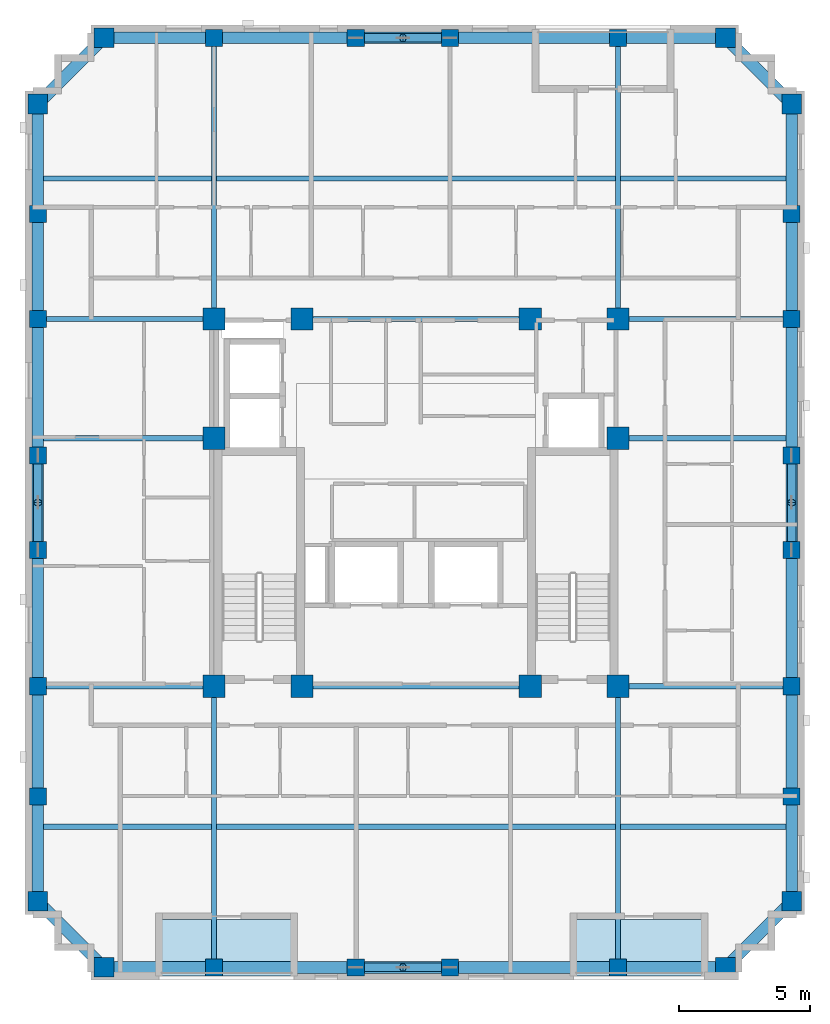
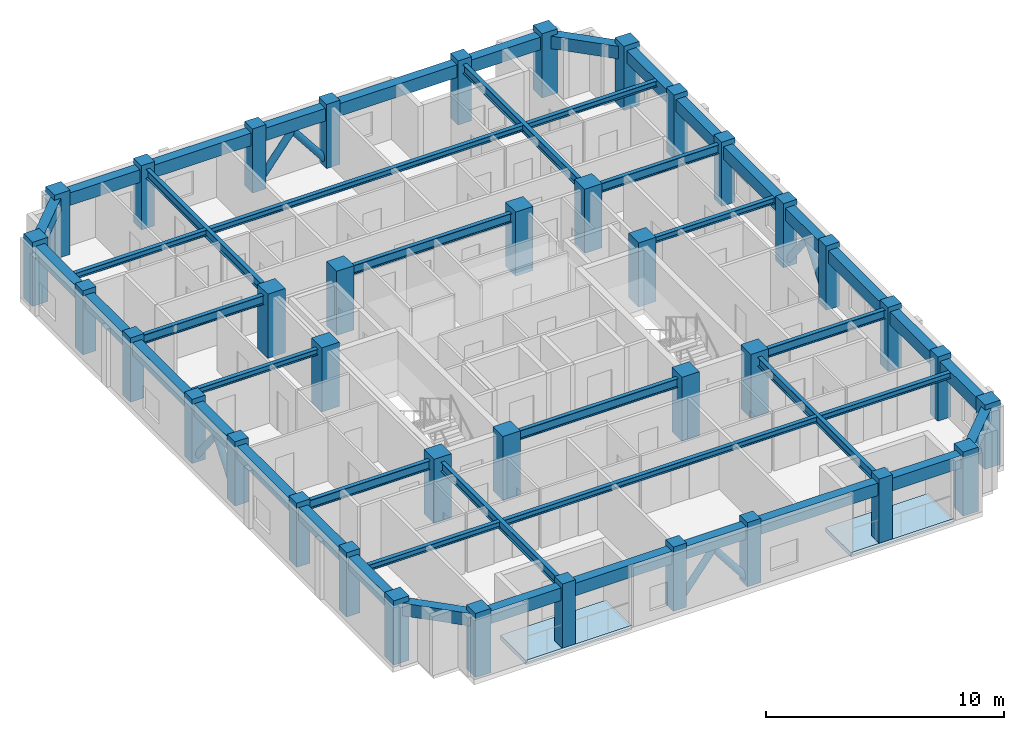
# One storey, part 1 of 11: 46 beams, 38 columns, 8 members, 2 slabs.
"""IFC4 building model written with IfcOpenShell, lengths in metres."""

from ifc_helpers import new_model, si_unit, derived_unit, direction, frame, origin, origin_2d, place, context, subcontext, project, spatial, polyline, rectangle, hollow_circle, i_section, outline, extrude, material, layer, layer_set, material_profile, profile_set, type_object, element, save


model = new_model("IFC4")

# Units and contexts
model_context = context("Model", 3, precision=1e-05, world=origin(), true_north=direction((0.0, 1.0)))
body_context = subcontext(model_context, "Body", "Model", "MODEL_VIEW")
ifc_project = project(units=[si_unit("LENGTHUNIT", "METRE"), si_unit("AREAUNIT", "SQUARE_METRE"), si_unit("VOLUMEUNIT", "CUBIC_METRE"), si_unit("PLANEANGLEUNIT", "RADIAN"), si_unit("MASSUNIT", "GRAM", prefix="KILO"), derived_unit("THERMALTRANSMITTANCEUNIT", [(si_unit("MASSUNIT", "GRAM", prefix="KILO"), 1), (si_unit("TIMEUNIT", "SECOND"), -3), (si_unit("THERMODYNAMICTEMPERATUREUNIT", "KELVIN"), -1)])], contexts=[model_context])

# Site, building, storey
site_placement = place(None, origin())
site = spatial("IfcSite", under=ifc_project, at=site_placement, CompositionType="ELEMENT")
building_placement = place(site_placement, origin())
building = spatial("IfcBuilding", under=site, at=building_placement, Name="Korrvale Station Residences", CompositionType="ELEMENT")
storey_placement = place(building_placement, frame((0.0, 0.0, 214.0)))
storey = spatial("IfcBuildingStorey", under=building, at=storey_placement, Name="L62", CompositionType="ELEMENT", Elevation=214.0)

# Columns
ifc_material_1 = material(Name="Concrete C50/60", Category="concrete")
ifc_material_profile_1 = material_profile(ifc_material_1, rectangle(XDim=0.64990234375, YDim=0.64990234375, at=origin_2d()), Name="RC650x650")
ifc_profile_set_1 = profile_set([ifc_material_profile_1], Name="Concrete C50/60")
column_type_1 = type_object("IfcColumnType", Name="COL-C-RC650x650-C5060", PredefinedType="COLUMN", material=ifc_profile_set_1)
for number, where, z_axis, x_axis, name in (
    (1, (17.800048828125, 4.280029296875, 0.0), (0.0, 0.0, 1.0), (1.0, 0.0, 0.0), "L62 Bundled-Tube South Column 02"),
    (2, (23.199951171875, 4.280029296875, 0.0), (0.0, 0.0, 1.0), (1.0, 0.0, 0.0), "L62 Bundled-Tube South Column 03"),
    (3, (26.800048828125, 4.280029296875, 0.0), (0.0, 0.0, 1.0), (1.0, 0.0, 0.0), "L62 Bundled-Tube South Column 04"),
    (4, (33.199951171875, 4.280029296875, 0.0), (0.0, 0.0, 1.0), (1.0, 0.0, 0.0), "L62 Bundled-Tube South Column 05"),
    (5, (17.800048828125, 39.719970703125, 0.0), (0.0, 0.0, 1.0), (1.0, 0.0, 0.0), "L62 Bundled-Tube North Column 08"),
    (6, (23.199951171875, 39.719970703125, 0.0), (0.0, 0.0, 1.0), (1.0, 0.0, 0.0), "L62 Bundled-Tube North Column 09"),
    (7, (26.800048828125, 39.719970703125, 0.0), (0.0, 0.0, 1.0), (1.0, 0.0, 0.0), "L62 Bundled-Tube North Column 10"),
    (8, (33.199951171875, 39.719970703125, 0.0), (0.0, 0.0, 1.0), (1.0, 0.0, 0.0), "L62 Bundled-Tube North Column 11"),
    (9, (11.080078125, 10.800048828125, 0.0), (0.0, 0.0, 1.0), (1.0, 0.0, 0.0), "L62 Bundled-Tube West Column 14"),
    (10, (11.080078125, 15.0, 0.0), (0.0, 0.0, 1.0), (1.0, 0.0, 0.0), "L62 Bundled-Tube West Column 15"),
    (11, (11.080078125, 20.199951171875, 0.0), (0.0, 0.0, 1.0), (1.0, 0.0, 0.0), "L62 Bundled-Tube West Column 16"),
    (12, (11.080078125, 23.800048828125, 0.0), (0.0, 0.0, 1.0), (1.0, 0.0, 0.0), "L62 Bundled-Tube West Column 17"),
    (13, (11.080078125, 29.0, 0.0), (0.0, 0.0, 1.0), (1.0, 0.0, 0.0), "L62 Bundled-Tube West Column 18"),
    (14, (11.080078125, 33.0, 0.0), (0.0, 0.0, 1.0), (1.0, 0.0, 0.0), "L62 Bundled-Tube West Column 19"),
    (15, (39.820068359375, 10.800048828125, 0.0), (0.0, 0.0, 1.0), (1.0, 0.0, 0.0), "L62 Bundled-Tube East Column 22"),
    (16, (39.820068359375, 15.0, 0.0), (0.0, 0.0, 1.0), (1.0, 0.0, 0.0), "L62 Bundled-Tube East Column 23"),
    (17, (39.820068359375, 20.199951171875, 0.0), (0.0, 0.0, 1.0), (1.0, 0.0, 0.0), "L62 Bundled-Tube East Column 24"),
    (18, (39.820068359375, 23.800048828125, 0.0), (0.0, 0.0, 1.0), (1.0, 0.0, 0.0), "L62 Bundled-Tube East Column 25"),
    (19, (39.820068359375, 29.0, 0.0), (0.0, 0.0, 1.0), (1.0, 0.0, 0.0), "L62 Bundled-Tube East Column 26"),
    (20, (39.820068359375, 33.0, 0.0), (0.0, 0.0, 1.0), (1.0, 0.0, 0.0), "L62 Bundled-Tube East Column 27"),
):
    element("IfcColumn", number, at=place(storey_placement, frame(where, z_axis=z_axis, x_axis=x_axis)), inside=storey, type_object=column_type_1, Name=name, PredefinedType="COLUMN", context=body_context, shape_type="SweptSolid", body=[
        extrude(rectangle(XDim=0.64990234375, YDim=0.64990234375, at=origin_2d()), origin(), (0.0, 0.0, 1.0), 3.300048828125),
    ])
ifc_material_profile_2 = material_profile(ifc_material_1, rectangle(XDim=0.75, YDim=0.75, at=origin_2d()), Name="RC750x750")
ifc_profile_set_2 = profile_set([ifc_material_profile_2], Name="Concrete C50/60")
column_type_2 = type_object("IfcColumnType", Name="COL-C-RC750x750-C5060", PredefinedType="COLUMN", material=ifc_profile_set_2)
for number, where, z_axis, x_axis, name in (
    (21, (13.60009765625, 4.280029296875, 0.0), (0.0, 0.0, 1.0), (1.0, 0.0, 0.0), "L62 Bundled-Tube South Column 01"),
    (22, (37.300048828125, 4.280029296875, 0.0), (0.0, 0.0, 1.0), (1.0, 0.0, 0.0), "L62 Bundled-Tube South Column 06"),
    (23, (13.60009765625, 39.719970703125, 0.0), (0.0, 0.0, 1.0), (1.0, 0.0, 0.0), "L62 Bundled-Tube North Column 07"),
    (24, (37.300048828125, 39.719970703125, 0.0), (0.0, 0.0, 1.0), (1.0, 0.0, 0.0), "L62 Bundled-Tube North Column 12"),
    (25, (11.080078125, 6.800048828125, 0.0), (0.0, 0.0, 1.0), (1.0, 0.0, 0.0), "L62 Bundled-Tube West Column 13"),
    (26, (11.080078125, 37.199951171875, 0.0), (0.0, 0.0, 1.0), (1.0, 0.0, 0.0), "L62 Bundled-Tube West Column 20"),
    (27, (39.820068359375, 6.800048828125, 0.0), (0.0, 0.0, 1.0), (1.0, 0.0, 0.0), "L62 Bundled-Tube East Column 21"),
    (28, (39.820068359375, 37.199951171875, 0.0), (0.0, 0.0, 1.0), (1.0, 0.0, 0.0), "L62 Bundled-Tube East Column 28"),
):
    element("IfcColumn", number, at=place(storey_placement, frame(where, z_axis=z_axis, x_axis=x_axis)), inside=storey, type_object=column_type_2, Name=name, PredefinedType="COLUMN", context=body_context, shape_type="SweptSolid", body=[
        extrude(rectangle(XDim=0.75, YDim=0.75, at=origin_2d()), origin(), (0.0, 0.0, 1.0), 3.300048828125),
    ])
ifc_material_profile_3 = material_profile(ifc_material_1, rectangle(XDim=0.85009765625, YDim=0.85009765625, at=origin_2d()), Name="RC850x850")
ifc_profile_set_3 = profile_set([ifc_material_profile_3], Name="Concrete C50/60")
column_type_3 = type_object("IfcColumnType", Name="COL-C-RC850x850-C5060", PredefinedType="COLUMN", material=ifc_profile_set_3)
for number, where, z_axis, x_axis, name in (
    (29, (17.800048828125, 15.0, 0.0), (0.0, 0.0, 1.0), (1.0, 0.0, 0.0), "L62 Core Column 01"),
    (30, (21.14990234375, 15.0, 0.0), (0.0, 0.0, 1.0), (1.0, 0.0, 0.0), "L62 Core Column 02"),
    (31, (29.85009765625, 15.0, 0.0), (0.0, 0.0, 1.0), (1.0, 0.0, 0.0), "L62 Core Column 03"),
    (32, (33.199951171875, 15.0, 0.0), (0.0, 0.0, 1.0), (1.0, 0.0, 0.0), "L62 Core Column 04"),
    (33, (17.800048828125, 29.0, 0.0), (0.0, 0.0, 1.0), (1.0, 0.0, 0.0), "L62 Core Column 05"),
    (34, (21.14990234375, 29.0, 0.0), (0.0, 0.0, 1.0), (1.0, 0.0, 0.0), "L62 Core Column 06"),
    (35, (29.85009765625, 29.0, 0.0), (0.0, 0.0, 1.0), (1.0, 0.0, 0.0), "L62 Core Column 07"),
    (36, (33.199951171875, 29.0, 0.0), (0.0, 0.0, 1.0), (1.0, 0.0, 0.0), "L62 Core Column 08"),
    (37, (17.800048828125, 24.449951171875, 0.0), (0.0, 0.0, 1.0), (1.0, 0.0, 0.0), "L62 Core Column 09"),
    (38, (33.199951171875, 24.449951171875, 0.0), (0.0, 0.0, 1.0), (1.0, 0.0, 0.0), "L62 Core Column 10"),
):
    element("IfcColumn", number, at=place(storey_placement, frame(where, z_axis=z_axis, x_axis=x_axis)), inside=storey, type_object=column_type_3, Name=name, PredefinedType="COLUMN", context=body_context, shape_type="SweptSolid", body=[
        extrude(rectangle(XDim=0.85009765625, YDim=0.85009765625, at=origin_2d()), origin(), (0.0, 0.0, 1.0), 3.300048828125),
    ])

# Beams
ifc_material_2 = material(Name="Steel S355", Category="steel")
ifc_material_profile_4 = material_profile(ifc_material_2, i_section(OverallWidth=0.194091796875, OverallDepth=0.468994140625, WebThickness=0.0126953125, FlangeThickness=0.0205078125, FilletRadius=0.01611328125, at=origin_2d()), Name="W460x106")
ifc_profile_set_4 = profile_set([ifc_material_profile_4], Name="Steel S355")
beam_type_1 = type_object("IfcBeamType", Name="BM-BM-W460x106-S355", PredefinedType="BEAM", material=ifc_profile_set_4)
for number, where, z_axis, x_axis, name in (
    (39, (17.800048828125, 4.280029296875, 2.805419921875), (0.0, 1.0, 0.0), (-1.0, 0.0, 0.0), "L62 Bundled-Tube Web Girder 01"),
    (40, (33.199951171875, 4.280029296875, 2.805419921875), (0.0, 1.0, 0.0), (-1.0, 0.0, 0.0), "L62 Bundled-Tube Web Girder 02"),
    (41, (17.800048828125, 29.0, 2.805419921875), (0.0, 1.0, 0.0), (-1.0, 0.0, 0.0), "L62 Bundled-Tube Web Girder 03"),
    (42, (33.199951171875, 29.0, 2.805419921875), (0.0, 1.0, 0.0), (-1.0, 0.0, 0.0), "L62 Bundled-Tube Web Girder 04"),
):
    element("IfcBeam", number, at=place(storey_placement, frame(where, z_axis=z_axis, x_axis=x_axis)), inside=storey, type_object=beam_type_1, Name=name, PredefinedType="BEAM", context=body_context, shape_type="SweptSolid", body=[
        extrude(i_section(OverallWidth=0.194091796875, OverallDepth=0.468994140625, WebThickness=0.0126953125, FlangeThickness=0.0205078125, FilletRadius=0.01611328125, at=origin_2d()), origin(), (0.0, 0.0, 1.0), 10.719970703125),
    ])
beam_1_placement = place(storey_placement, frame((11.080078125, 15.0, 2.805419921875), z_axis=(1.0, 0.0, 0.0), x_axis=(0.0, 1.0, 0.0)))
element("IfcBeam", 43, at=beam_1_placement, inside=storey, type_object=beam_type_1, Name="L62 Bundled-Tube Web Girder 05", PredefinedType="BEAM", context=body_context, shape_type="SweptSolid", body=[
    extrude(i_section(OverallWidth=0.194091796875, OverallDepth=0.468994140625, WebThickness=0.0126953125, FlangeThickness=0.0205078125, FilletRadius=0.01611328125, at=origin_2d()), origin(), (0.0, 0.0, 1.0), 6.719970703125),
])
beam_2_placement = place(storey_placement, frame((33.199951171875, 15.0, 2.805419921875), z_axis=(1.0, 0.0, 0.0), x_axis=(0.0, 1.0, 0.0)))
element("IfcBeam", 44, at=beam_2_placement, inside=storey, type_object=beam_type_1, Name="L62 Bundled-Tube Web Girder 06", PredefinedType="BEAM", context=body_context, shape_type="SweptSolid", body=[
    extrude(i_section(OverallWidth=0.194091796875, OverallDepth=0.468994140625, WebThickness=0.0126953125, FlangeThickness=0.0205078125, FilletRadius=0.01611328125, at=origin_2d()), origin(), (0.0, 0.0, 1.0), 6.6201171875),
])
beam_3_placement = place(storey_placement, frame((11.080078125, 29.0, 2.805419921875), z_axis=(1.0, 0.0, 0.0), x_axis=(0.0, 1.0, 0.0)))
element("IfcBeam", 45, at=beam_3_placement, inside=storey, type_object=beam_type_1, Name="L62 Bundled-Tube Web Girder 07", PredefinedType="BEAM", context=body_context, shape_type="SweptSolid", body=[
    extrude(i_section(OverallWidth=0.194091796875, OverallDepth=0.468994140625, WebThickness=0.0126953125, FlangeThickness=0.0205078125, FilletRadius=0.01611328125, at=origin_2d()), origin(), (0.0, 0.0, 1.0), 6.719970703125),
])
beam_4_placement = place(storey_placement, frame((33.199951171875, 29.0, 2.805419921875), z_axis=(1.0, 0.0, 0.0), x_axis=(0.0, 1.0, 0.0)))
element("IfcBeam", 46, at=beam_4_placement, inside=storey, type_object=beam_type_1, Name="L62 Bundled-Tube Web Girder 08", PredefinedType="BEAM", context=body_context, shape_type="SweptSolid", body=[
    extrude(i_section(OverallWidth=0.194091796875, OverallDepth=0.468994140625, WebThickness=0.0126953125, FlangeThickness=0.0205078125, FilletRadius=0.01611328125, at=origin_2d()), origin(), (0.0, 0.0, 1.0), 6.6201171875),
])
for number, where, z_axis, x_axis, name in (
    (47, (21.14990234375, 15.0, 2.805419921875), (1.0, 0.0, 0.0), (0.0, 1.0, 0.0), "L62 Bundled-Tube Web Girder 09"),
    (48, (21.14990234375, 29.0, 2.805419921875), (1.0, 0.0, 0.0), (0.0, 1.0, 0.0), "L62 Bundled-Tube Web Girder 10"),
):
    element("IfcBeam", number, at=place(storey_placement, frame(where, z_axis=z_axis, x_axis=x_axis)), inside=storey, type_object=beam_type_1, Name=name, PredefinedType="BEAM", context=body_context, shape_type="SweptSolid", body=[
        extrude(i_section(OverallWidth=0.194091796875, OverallDepth=0.468994140625, WebThickness=0.0126953125, FlangeThickness=0.0205078125, FilletRadius=0.01611328125, at=origin_2d()), origin(), (0.0, 0.0, 1.0), 8.7001953125),
    ])
ifc_material_profile_5 = material_profile(ifc_material_2, i_section(OverallWidth=0.202880859375, OverallDepth=0.302978515625, WebThickness=0.007568359375, FlangeThickness=0.01318359375, FilletRadius=0.014892578125, at=origin_2d()), Name="W310x60")
ifc_profile_set_5 = profile_set([ifc_material_profile_5], Name="Steel S355")
beam_type_2 = type_object("IfcBeamType", Name="BM-JST-W310x60-S355", PredefinedType="JOIST", material=ifc_profile_set_5)
beam_5_placement = place(storey_placement, frame((11.304931640625, 9.639892578125, 2.888427734375), z_axis=(1.0, 0.0, 0.0), x_axis=(0.0, 1.0, 0.0)))
element("IfcBeam", 49, at=beam_5_placement, inside=storey, type_object=beam_type_2, Name="L62 Floor Framing Joist 01", PredefinedType="JOIST", context=body_context, shape_type="SweptSolid", body=[
    extrude(i_section(OverallWidth=0.202880859375, OverallDepth=0.302978515625, WebThickness=0.007568359375, FlangeThickness=0.01318359375, FilletRadius=0.014892578125, at=origin_2d()), origin(), (0.0, 0.0, 1.0), 6.39794921875),
])
beam_6_placement = place(storey_placement, frame((17.89697265625, 9.639892578125, 2.888427734375), z_axis=(1.0, 0.0, 0.0), x_axis=(0.0, 1.0, 0.0)))
element("IfcBeam", 50, at=beam_6_placement, inside=storey, type_object=beam_type_2, Name="L62 Floor Framing Joist 02", PredefinedType="JOIST", context=body_context, shape_type="SweptSolid", body=[
    extrude(i_section(OverallWidth=0.202880859375, OverallDepth=0.302978515625, WebThickness=0.007568359375, FlangeThickness=0.01318359375, FilletRadius=0.014892578125, at=origin_2d()), origin(), (0.0, 0.0, 1.0), 15.2060546875),
])
beam_7_placement = place(storey_placement, frame((33.297119140625, 9.639892578125, 2.888427734375), z_axis=(1.0, 0.0, 0.0), x_axis=(0.0, 1.0, 0.0)))
element("IfcBeam", 51, at=beam_7_placement, inside=storey, type_object=beam_type_2, Name="L62 Floor Framing Joist 03", PredefinedType="JOIST", context=body_context, shape_type="SweptSolid", body=[
    extrude(i_section(OverallWidth=0.202880859375, OverallDepth=0.302978515625, WebThickness=0.007568359375, FlangeThickness=0.01318359375, FilletRadius=0.014892578125, at=origin_2d()), origin(), (0.0, 0.0, 1.0), 6.2978515625),
])
beam_8_placement = place(storey_placement, frame((11.304931640625, 34.360107421875, 2.888427734375), z_axis=(1.0, 0.0, 0.0), x_axis=(0.0, 1.0, 0.0)))
element("IfcBeam", 52, at=beam_8_placement, inside=storey, type_object=beam_type_2, Name="L62 Floor Framing Joist 04", PredefinedType="JOIST", context=body_context, shape_type="SweptSolid", body=[
    extrude(i_section(OverallWidth=0.202880859375, OverallDepth=0.302978515625, WebThickness=0.007568359375, FlangeThickness=0.01318359375, FilletRadius=0.014892578125, at=origin_2d()), origin(), (0.0, 0.0, 1.0), 6.39794921875),
])
beam_9_placement = place(storey_placement, frame((17.89697265625, 34.360107421875, 2.888427734375), z_axis=(1.0, 0.0, 0.0), x_axis=(0.0, 1.0, 0.0)))
element("IfcBeam", 53, at=beam_9_placement, inside=storey, type_object=beam_type_2, Name="L62 Floor Framing Joist 05", PredefinedType="JOIST", context=body_context, shape_type="SweptSolid", body=[
    extrude(i_section(OverallWidth=0.202880859375, OverallDepth=0.302978515625, WebThickness=0.007568359375, FlangeThickness=0.01318359375, FilletRadius=0.014892578125, at=origin_2d()), origin(), (0.0, 0.0, 1.0), 15.2060546875),
])
beam_10_placement = place(storey_placement, frame((33.297119140625, 34.360107421875, 2.888427734375), z_axis=(1.0, 0.0, 0.0), x_axis=(0.0, 1.0, 0.0)))
element("IfcBeam", 54, at=beam_10_placement, inside=storey, type_object=beam_type_2, Name="L62 Floor Framing Joist 06", PredefinedType="JOIST", context=body_context, shape_type="SweptSolid", body=[
    extrude(i_section(OverallWidth=0.202880859375, OverallDepth=0.302978515625, WebThickness=0.007568359375, FlangeThickness=0.01318359375, FilletRadius=0.014892578125, at=origin_2d()), origin(), (0.0, 0.0, 1.0), 6.2978515625),
])
beam_11_placement = place(storey_placement, frame((33.199951171875, 24.449951171875, 2.888427734375), z_axis=(1.0, 0.0, 0.0), x_axis=(0.0, 1.0, 0.0)))
element("IfcBeam", 55, at=beam_11_placement, inside=storey, type_object=beam_type_2, Name="L62 Floor Framing Joist 07", PredefinedType="JOIST", context=body_context, shape_type="SweptSolid", body=[
    extrude(i_section(OverallWidth=0.202880859375, OverallDepth=0.302978515625, WebThickness=0.007568359375, FlangeThickness=0.01318359375, FilletRadius=0.014892578125, at=origin_2d()), origin(), (0.0, 0.0, 1.0), 6.39501953125),
])
beam_12_placement = place(storey_placement, frame((11.304931640625, 24.449951171875, 2.888427734375), z_axis=(1.0, 0.0, 0.0), x_axis=(0.0, 1.0, 0.0)))
element("IfcBeam", 56, at=beam_12_placement, inside=storey, type_object=beam_type_2, Name="L62 Floor Framing Joist 08", PredefinedType="JOIST", context=body_context, shape_type="SweptSolid", body=[
    extrude(i_section(OverallWidth=0.202880859375, OverallDepth=0.302978515625, WebThickness=0.007568359375, FlangeThickness=0.01318359375, FilletRadius=0.014892578125, at=origin_2d()), origin(), (0.0, 0.0, 1.0), 6.4951171875),
])
ifc_material_profile_6 = material_profile(ifc_material_1, rectangle(XDim=0.449951171875, YDim=0.64990234375, at=origin_2d()), Name="RCB450x650")
ifc_profile_set_6 = profile_set([ifc_material_profile_6], Name="Concrete C50/60")
beam_type_3 = type_object("IfcBeamType", Name="BM-SPB-RCB450x650-C5060", PredefinedType="SPANDREL", material=ifc_profile_set_6)
beam_13_placement = place(storey_placement, frame((13.60009765625, 4.280029296875, 2.715087890625), z_axis=(1.0, 0.0, 0.0), x_axis=(0.0, 1.0, 0.0)))
element("IfcBeam", 57, at=beam_13_placement, inside=storey, type_object=beam_type_3, Name="L62 South Tube Spandrel 01", PredefinedType="SPANDREL", context=body_context, shape_type="SweptSolid", body=[
    extrude(rectangle(XDim=0.449951171875, YDim=0.64990234375, at=origin_2d()), origin(), (0.0, 0.0, 1.0), 4.199951171875),
])
beam_14_placement = place(storey_placement, frame((17.800048828125, 4.280029296875, 2.715087890625), z_axis=(1.0, 0.0, 0.0), x_axis=(0.0, 1.0, 0.0)))
element("IfcBeam", 58, at=beam_14_placement, inside=storey, type_object=beam_type_3, Name="L62 South Tube Spandrel 02", PredefinedType="SPANDREL", context=body_context, shape_type="SweptSolid", body=[
    extrude(rectangle(XDim=0.449951171875, YDim=0.64990234375, at=origin_2d()), origin(), (0.0, 0.0, 1.0), 5.39990234375),
])
beam_15_placement = place(storey_placement, frame((23.199951171875, 4.280029296875, 2.715087890625), z_axis=(1.0, 0.0, 0.0), x_axis=(0.0, 1.0, 0.0)))
element("IfcBeam", 59, at=beam_15_placement, inside=storey, type_object=beam_type_3, Name="L62 South Tube Spandrel 03", PredefinedType="SPANDREL", context=body_context, shape_type="SweptSolid", body=[
    extrude(rectangle(XDim=0.449951171875, YDim=0.64990234375, at=origin_2d()), origin(), (0.0, 0.0, 1.0), 3.60009765625),
])
beam_16_placement = place(storey_placement, frame((26.800048828125, 4.280029296875, 2.715087890625), z_axis=(1.0, 0.0, 0.0), x_axis=(0.0, 1.0, 0.0)))
element("IfcBeam", 60, at=beam_16_placement, inside=storey, type_object=beam_type_3, Name="L62 South Tube Spandrel 04", PredefinedType="SPANDREL", context=body_context, shape_type="SweptSolid", body=[
    extrude(rectangle(XDim=0.449951171875, YDim=0.64990234375, at=origin_2d()), origin(), (0.0, 0.0, 1.0), 6.39990234375),
])
beam_17_placement = place(storey_placement, frame((33.199951171875, 4.280029296875, 2.715087890625), z_axis=(1.0, 0.0, 0.0), x_axis=(0.0, 1.0, 0.0)))
element("IfcBeam", 61, at=beam_17_placement, inside=storey, type_object=beam_type_3, Name="L62 South Tube Spandrel 05", PredefinedType="SPANDREL", context=body_context, shape_type="SweptSolid", body=[
    extrude(rectangle(XDim=0.449951171875, YDim=0.64990234375, at=origin_2d()), origin(), (0.0, 0.0, 1.0), 4.10009765625),
])
beam_18_placement = place(storey_placement, frame((13.60009765625, 39.719970703125, 2.715087890625), z_axis=(1.0, 0.0, 0.0), x_axis=(0.0, 1.0, 0.0)))
element("IfcBeam", 62, at=beam_18_placement, inside=storey, type_object=beam_type_3, Name="L62 North Tube Spandrel 06", PredefinedType="SPANDREL", context=body_context, shape_type="SweptSolid", body=[
    extrude(rectangle(XDim=0.449951171875, YDim=0.64990234375, at=origin_2d()), origin(), (0.0, 0.0, 1.0), 4.199951171875),
])
beam_19_placement = place(storey_placement, frame((17.800048828125, 39.719970703125, 2.715087890625), z_axis=(1.0, 0.0, 0.0), x_axis=(0.0, 1.0, 0.0)))
element("IfcBeam", 63, at=beam_19_placement, inside=storey, type_object=beam_type_3, Name="L62 North Tube Spandrel 07", PredefinedType="SPANDREL", context=body_context, shape_type="SweptSolid", body=[
    extrude(rectangle(XDim=0.449951171875, YDim=0.64990234375, at=origin_2d()), origin(), (0.0, 0.0, 1.0), 5.39990234375),
])
beam_20_placement = place(storey_placement, frame((23.199951171875, 39.719970703125, 2.715087890625), z_axis=(1.0, 0.0, 0.0), x_axis=(0.0, 1.0, 0.0)))
element("IfcBeam", 64, at=beam_20_placement, inside=storey, type_object=beam_type_3, Name="L62 North Tube Spandrel 08", PredefinedType="SPANDREL", context=body_context, shape_type="SweptSolid", body=[
    extrude(rectangle(XDim=0.449951171875, YDim=0.64990234375, at=origin_2d()), origin(), (0.0, 0.0, 1.0), 3.60009765625),
])
beam_21_placement = place(storey_placement, frame((26.800048828125, 39.719970703125, 2.715087890625), z_axis=(1.0, 0.0, 0.0), x_axis=(0.0, 1.0, 0.0)))
element("IfcBeam", 65, at=beam_21_placement, inside=storey, type_object=beam_type_3, Name="L62 North Tube Spandrel 09", PredefinedType="SPANDREL", context=body_context, shape_type="SweptSolid", body=[
    extrude(rectangle(XDim=0.449951171875, YDim=0.64990234375, at=origin_2d()), origin(), (0.0, 0.0, 1.0), 6.39990234375),
])
beam_22_placement = place(storey_placement, frame((33.199951171875, 39.719970703125, 2.715087890625), z_axis=(1.0, 0.0, 0.0), x_axis=(0.0, 1.0, 0.0)))
element("IfcBeam", 66, at=beam_22_placement, inside=storey, type_object=beam_type_3, Name="L62 North Tube Spandrel 10", PredefinedType="SPANDREL", context=body_context, shape_type="SweptSolid", body=[
    extrude(rectangle(XDim=0.449951171875, YDim=0.64990234375, at=origin_2d()), origin(), (0.0, 0.0, 1.0), 4.10009765625),
])
beam_23_placement = place(storey_placement, frame((11.080078125, 6.800048828125, 2.715087890625), z_axis=(0.0, 1.0, 0.0), x_axis=(-1.0, 0.0, 0.0)))
element("IfcBeam", 67, at=beam_23_placement, inside=storey, type_object=beam_type_3, Name="L62 West Tube Spandrel 11", PredefinedType="SPANDREL", context=body_context, shape_type="SweptSolid", body=[
    extrude(rectangle(XDim=0.449951171875, YDim=0.64990234375, at=origin_2d()), origin(), (0.0, 0.0, 1.0), 4.0),
])
beam_24_placement = place(storey_placement, frame((11.080078125, 10.800048828125, 2.715087890625), z_axis=(0.0, 1.0, 0.0), x_axis=(-1.0, 0.0, 0.0)))
element("IfcBeam", 68, at=beam_24_placement, inside=storey, type_object=beam_type_3, Name="L62 West Tube Spandrel 12", PredefinedType="SPANDREL", context=body_context, shape_type="SweptSolid", body=[
    extrude(rectangle(XDim=0.449951171875, YDim=0.64990234375, at=origin_2d()), origin(), (0.0, 0.0, 1.0), 4.199951171875),
])
beam_25_placement = place(storey_placement, frame((11.080078125, 15.0, 2.715087890625), z_axis=(0.0, 1.0, 0.0), x_axis=(-1.0, 0.0, 0.0)))
element("IfcBeam", 69, at=beam_25_placement, inside=storey, type_object=beam_type_3, Name="L62 West Tube Spandrel 13", PredefinedType="SPANDREL", context=body_context, shape_type="SweptSolid", body=[
    extrude(rectangle(XDim=0.449951171875, YDim=0.64990234375, at=origin_2d()), origin(), (0.0, 0.0, 1.0), 5.199951171875),
])
beam_26_placement = place(storey_placement, frame((11.080078125, 20.199951171875, 2.715087890625), z_axis=(0.0, 1.0, 0.0), x_axis=(-1.0, 0.0, 0.0)))
element("IfcBeam", 70, at=beam_26_placement, inside=storey, type_object=beam_type_3, Name="L62 West Tube Spandrel 14", PredefinedType="SPANDREL", context=body_context, shape_type="SweptSolid", body=[
    extrude(rectangle(XDim=0.449951171875, YDim=0.64990234375, at=origin_2d()), origin(), (0.0, 0.0, 1.0), 3.60009765625),
])
beam_27_placement = place(storey_placement, frame((11.080078125, 23.800048828125, 2.715087890625), z_axis=(0.0, 1.0, 0.0), x_axis=(-1.0, 0.0, 0.0)))
element("IfcBeam", 71, at=beam_27_placement, inside=storey, type_object=beam_type_3, Name="L62 West Tube Spandrel 15", PredefinedType="SPANDREL", context=body_context, shape_type="SweptSolid", body=[
    extrude(rectangle(XDim=0.449951171875, YDim=0.64990234375, at=origin_2d()), origin(), (0.0, 0.0, 1.0), 5.199951171875),
])
beam_28_placement = place(storey_placement, frame((11.080078125, 29.0, 2.715087890625), z_axis=(0.0, 1.0, 0.0), x_axis=(-1.0, 0.0, 0.0)))
element("IfcBeam", 72, at=beam_28_placement, inside=storey, type_object=beam_type_3, Name="L62 West Tube Spandrel 16", PredefinedType="SPANDREL", context=body_context, shape_type="SweptSolid", body=[
    extrude(rectangle(XDim=0.449951171875, YDim=0.64990234375, at=origin_2d()), origin(), (0.0, 0.0, 1.0), 4.0),
])
beam_29_placement = place(storey_placement, frame((11.080078125, 33.0, 2.715087890625), z_axis=(0.0, 1.0, 0.0), x_axis=(-1.0, 0.0, 0.0)))
element("IfcBeam", 73, at=beam_29_placement, inside=storey, type_object=beam_type_3, Name="L62 West Tube Spandrel 17", PredefinedType="SPANDREL", context=body_context, shape_type="SweptSolid", body=[
    extrude(rectangle(XDim=0.449951171875, YDim=0.64990234375, at=origin_2d()), origin(), (0.0, 0.0, 1.0), 4.199951171875),
])
beam_30_placement = place(storey_placement, frame((39.820068359375, 6.800048828125, 2.715087890625), z_axis=(0.0, 1.0, 0.0), x_axis=(-1.0, 0.0, 0.0)))
element("IfcBeam", 74, at=beam_30_placement, inside=storey, type_object=beam_type_3, Name="L62 East Tube Spandrel 18", PredefinedType="SPANDREL", context=body_context, shape_type="SweptSolid", body=[
    extrude(rectangle(XDim=0.449951171875, YDim=0.64990234375, at=origin_2d()), origin(), (0.0, 0.0, 1.0), 4.0),
])
beam_31_placement = place(storey_placement, frame((39.820068359375, 10.800048828125, 2.715087890625), z_axis=(0.0, 1.0, 0.0), x_axis=(-1.0, 0.0, 0.0)))
element("IfcBeam", 75, at=beam_31_placement, inside=storey, type_object=beam_type_3, Name="L62 East Tube Spandrel 19", PredefinedType="SPANDREL", context=body_context, shape_type="SweptSolid", body=[
    extrude(rectangle(XDim=0.449951171875, YDim=0.64990234375, at=origin_2d()), origin(), (0.0, 0.0, 1.0), 4.199951171875),
])
beam_32_placement = place(storey_placement, frame((39.820068359375, 15.0, 2.715087890625), z_axis=(0.0, 1.0, 0.0), x_axis=(-1.0, 0.0, 0.0)))
element("IfcBeam", 76, at=beam_32_placement, inside=storey, type_object=beam_type_3, Name="L62 East Tube Spandrel 20", PredefinedType="SPANDREL", context=body_context, shape_type="SweptSolid", body=[
    extrude(rectangle(XDim=0.449951171875, YDim=0.64990234375, at=origin_2d()), origin(), (0.0, 0.0, 1.0), 5.199951171875),
])
beam_33_placement = place(storey_placement, frame((39.820068359375, 20.199951171875, 2.715087890625), z_axis=(0.0, 1.0, 0.0), x_axis=(-1.0, 0.0, 0.0)))
element("IfcBeam", 77, at=beam_33_placement, inside=storey, type_object=beam_type_3, Name="L62 East Tube Spandrel 21", PredefinedType="SPANDREL", context=body_context, shape_type="SweptSolid", body=[
    extrude(rectangle(XDim=0.449951171875, YDim=0.64990234375, at=origin_2d()), origin(), (0.0, 0.0, 1.0), 3.60009765625),
])
beam_34_placement = place(storey_placement, frame((39.820068359375, 23.800048828125, 2.715087890625), z_axis=(0.0, 1.0, 0.0), x_axis=(-1.0, 0.0, 0.0)))
element("IfcBeam", 78, at=beam_34_placement, inside=storey, type_object=beam_type_3, Name="L62 East Tube Spandrel 22", PredefinedType="SPANDREL", context=body_context, shape_type="SweptSolid", body=[
    extrude(rectangle(XDim=0.449951171875, YDim=0.64990234375, at=origin_2d()), origin(), (0.0, 0.0, 1.0), 5.199951171875),
])
beam_35_placement = place(storey_placement, frame((39.820068359375, 29.0, 2.715087890625), z_axis=(0.0, 1.0, 0.0), x_axis=(-1.0, 0.0, 0.0)))
element("IfcBeam", 79, at=beam_35_placement, inside=storey, type_object=beam_type_3, Name="L62 East Tube Spandrel 23", PredefinedType="SPANDREL", context=body_context, shape_type="SweptSolid", body=[
    extrude(rectangle(XDim=0.449951171875, YDim=0.64990234375, at=origin_2d()), origin(), (0.0, 0.0, 1.0), 4.0),
])
beam_36_placement = place(storey_placement, frame((39.820068359375, 33.0, 2.715087890625), z_axis=(0.0, 1.0, 0.0), x_axis=(-1.0, 0.0, 0.0)))
element("IfcBeam", 80, at=beam_36_placement, inside=storey, type_object=beam_type_3, Name="L62 East Tube Spandrel 24", PredefinedType="SPANDREL", context=body_context, shape_type="SweptSolid", body=[
    extrude(rectangle(XDim=0.449951171875, YDim=0.64990234375, at=origin_2d()), origin(), (0.0, 0.0, 1.0), 4.199951171875),
])
for number, where, z_axis, x_axis, name in (
    (81, (13.60009765625, 4.280029296875, 2.715087890625), (-0.707106781187, 0.707106781187, 0.0), (-0.707106781187, -0.707106781187, 0.0), "L62 Serrated Corner Spandrel 25"),
    (82, (37.300048828125, 4.280029296875, 2.715087890625), (0.707106781187, 0.707106781187, 0.0), (-0.707106781187, 0.707106781187, 0.0), "L62 Serrated Corner Spandrel 26"),
    (83, (37.300048828125, 39.719970703125, 2.715087890625), (0.707106781187, -0.707106781187, 0.0), (0.707106781187, 0.707106781187, 0.0), "L62 Serrated Corner Spandrel 27"),
    (84, (13.60009765625, 39.719970703125, 2.715087890625), (-0.707106781187, -0.707106781187, 0.0), (0.707106781187, -0.707106781187, 0.0), "L62 Serrated Corner Spandrel 28"),
):
    element("IfcBeam", number, at=place(storey_placement, frame(where, z_axis=z_axis, x_axis=x_axis)), inside=storey, type_object=beam_type_3, Name=name, PredefinedType="SPANDREL", context=body_context, shape_type="SweptSolid", body=[
        extrude(rectangle(XDim=0.449951171875, YDim=0.64990234375, at=origin_2d()), origin(), (0.0, 0.0, 1.0), 3.56396484375),
    ])

# Members
ifc_material_profile_7 = material_profile(ifc_material_2, hollow_circle(Radius=0.161865234375, WallThickness=0.015869140625, at=origin_2d()), Name="HSS324x16")
ifc_profile_set_7 = profile_set([ifc_material_profile_7], Name="Steel S355")
member_type = type_object("IfcMemberType", Name="MBR-BR-HSS324x16", PredefinedType="BRACE", material=ifc_profile_set_7)
for number, where, z_axis, x_axis, name in (
    (85, (23.199951171875, 4.280029296875, 0.02001953125), (0.617977009695, 0.0, 0.786196168579), (0.0, 1.0, 0.0), "L62 S Perimeter Tube Wind Brace 1"),
    (86, (26.800048828125, 4.280029296875, 0.02001953125), (-0.617977009695, 0.0, 0.786196168579), (0.0, -1.0, 0.0), "L62 S Perimeter Tube Wind Brace 2"),
    (87, (23.199951171875, 39.719970703125, 0.02001953125), (0.617977009695, 0.0, 0.786196168579), (0.0, 1.0, 0.0), "L62 N Perimeter Tube Wind Brace 1"),
    (88, (26.800048828125, 39.719970703125, 0.02001953125), (-0.617977009695, 0.0, 0.786196168579), (0.0, -1.0, 0.0), "L62 N Perimeter Tube Wind Brace 2"),
    (89, (11.080078125, 20.199951171875, 0.02001953125), (0.0, 0.617977009695, 0.786196168579), (-1.0, 0.0, 0.0), "L62 W Perimeter Tube Wind Brace 1"),
    (90, (11.080078125, 23.800048828125, 0.02001953125), (0.0, -0.617977009695, 0.786196168579), (1.0, 0.0, 0.0), "L62 W Perimeter Tube Wind Brace 2"),
    (91, (39.820068359375, 20.199951171875, 0.02001953125), (0.0, 0.617977009695, 0.786196168579), (-1.0, 0.0, 0.0), "L62 E Perimeter Tube Wind Brace 1"),
    (92, (39.820068359375, 23.800048828125, 0.02001953125), (0.0, -0.617977009695, 0.786196168579), (1.0, 0.0, 0.0), "L62 E Perimeter Tube Wind Brace 2"),
):
    element("IfcMember", number, at=place(storey_placement, frame(where, z_axis=z_axis, x_axis=x_axis)), inside=storey, type_object=member_type, Name=name, PredefinedType="BRACE", context=body_context, shape_type="SweptSolid", body=[
        extrude(hollow_circle(Radius=0.161865234375, WallThickness=0.015869140625, at=origin_2d()), origin(), (0.0, 0.0, 1.0), 2.912841796875),
    ])

# Slabs
ifc_layer = layer(ifc_material_1, 0.219970703125, Name="Concrete C50/60")
ifc_layer_set = layer_set([ifc_layer], Name="Concrete C50/60")
slab_type = type_object("IfcSlabType", Name="SLB-BAL-220", PredefinedType="FLOOR", material=ifc_layer_set)
slab_1_placement = place(storey_placement, frame((0.0, 0.0, -0.219970703125)))
element("IfcSlab", 93, at=slab_1_placement, inside=storey, type_object=slab_type, Name="L62 Recessed Loggia Balcony Slab BAL-L62-S1", PredefinedType="FLOOR", context=body_context, shape_type="SweptSolid", body=[
    extrude(outline(polyline([(15.699951171875, 3.949951171875), (20.85009765625, 3.949951171875), (20.85009765625, 6.10009765625), (15.699951171875, 6.10009765625), (15.699951171875, 3.949951171875)])), origin(), (0.0, 0.0, 1.0), 0.219970703125),
])
slab_2_placement = place(storey_placement, frame((0.0, 0.0, -0.219970703125)))
element("IfcSlab", 94, at=slab_2_placement, inside=storey, type_object=slab_type, Name="L62 Recessed Loggia Balcony Slab BAL-L62-S2", PredefinedType="FLOOR", context=body_context, shape_type="SweptSolid", body=[
    extrude(outline(polyline([(31.5, 3.949951171875), (36.5, 3.949951171875), (36.5, 6.10009765625), (31.5, 6.10009765625), (31.5, 3.949951171875)])), origin(), (0.0, 0.0, 1.0), 0.219970703125),
])

save(model, "model.ifc")
